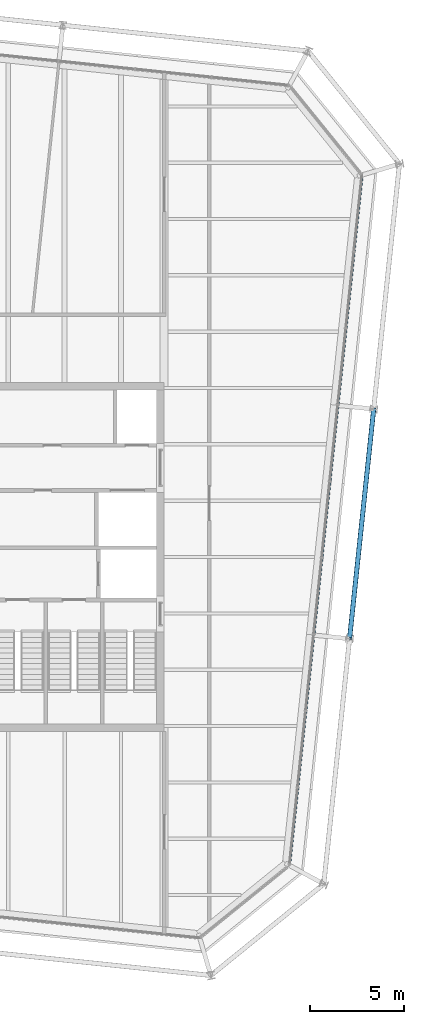
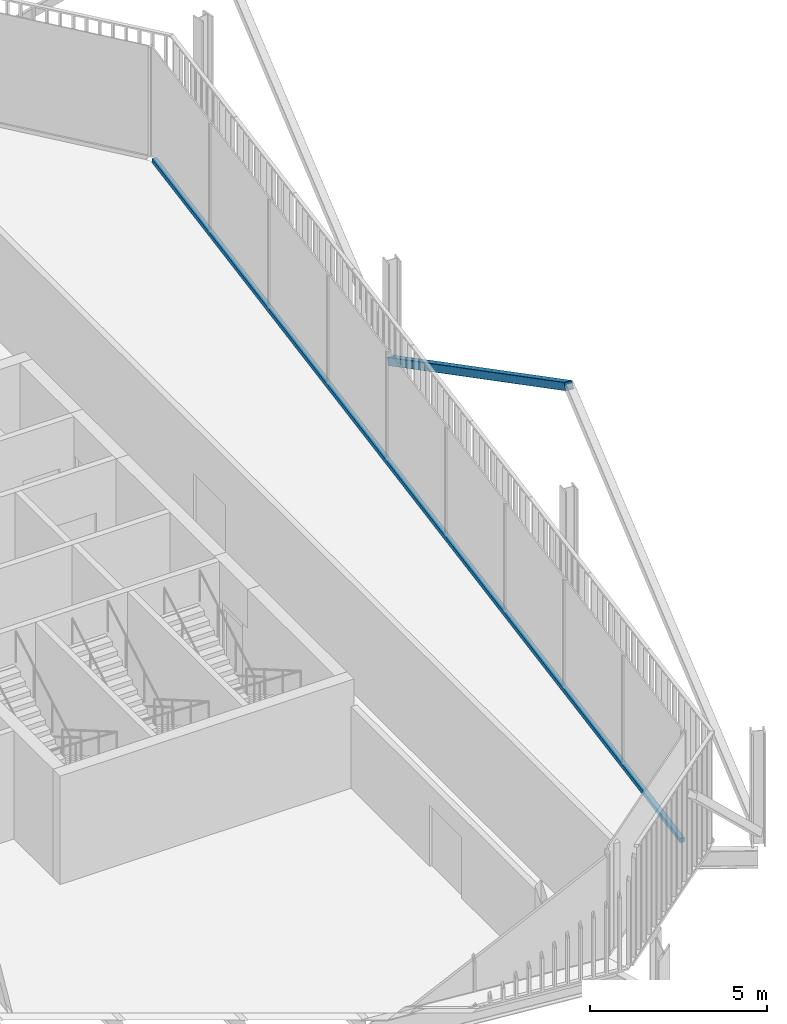
# One storey, part 10 of 21: 2 members, 1 element without a shape of its own.
"""IFC4 building model written with IfcOpenShell, lengths in metres."""

from ifc_helpers import new_model, si_unit, direction, frame, origin, origin_2d, place, context, subcontext, project, spatial, rectangle, hollow_rectangle, extrude, material, layer, layer_set, material_profile, profile_set, type_object, element, aggregate, save


model = new_model("IFC4")

# Units and contexts
model_context = context("Model", 3, precision=1e-05, world=origin(), true_north=direction((0.0, 1.0)))
body_context = subcontext(model_context, "Body", "Model", "MODEL_VIEW")
ifc_project = project(units=[si_unit("LENGTHUNIT", "METRE"), si_unit("AREAUNIT", "SQUARE_METRE"), si_unit("VOLUMEUNIT", "CUBIC_METRE"), si_unit("PLANEANGLEUNIT", "RADIAN"), si_unit("MASSUNIT", "GRAM", prefix="KILO")], contexts=[model_context])

# Site, building, storey
site_placement = place(None, origin())
site = spatial("IfcSite", under=ifc_project, at=site_placement, CompositionType="ELEMENT")
building_placement = place(site_placement, origin())
building = spatial("IfcBuilding", under=site, at=building_placement, Name="Millrace Tower", CompositionType="ELEMENT")
storey_placement = place(building_placement, frame((0.0, 0.0, 334.300048828125)))
storey = spatial("IfcBuildingStorey", under=building, at=storey_placement, Name="L77", CompositionType="ELEMENT", Elevation=334.300048828125)

# Curtain wall, member
ifc_material_1 = material(Name="Aluminium and glass", Category="aluminium")
ifc_layer = layer(ifc_material_1, 0.14990234375)
ifc_layer_set = layer_set([ifc_layer], Name="Aluminium and glass")
curtain_wall_type = type_object("IfcCurtainWallType", Name="CW-1 office vision curtain wall", PredefinedType="NOTDEFINED", material=ifc_layer_set)
curtain_wall_placement = place(storey_placement, origin())
curtain_wall = element("IfcCurtainWall", 1, at=curtain_wall_placement, inside=storey, type_object=curtain_wall_type, Name="Curtain wall E-F04 L77", PredefinedType="NOTDEFINED")
ifc_material_2 = material(Name="Aluminium", Category="aluminium")
ifc_material_profile_1 = material_profile(ifc_material_2, rectangle(XDim=0.14990234375, YDim=0.139892578125, at=origin_2d()))
ifc_profile_set_1 = profile_set([ifc_material_profile_1], Name="Aluminium")
member_type_1 = type_object("IfcMemberType", Name="CW-1 office vision curtain wall transom", PredefinedType="USERDEFINED", material=ifc_profile_set_1)
member_1_placement = place(storey_placement, frame((20.98193359375, -16.285400390625, 0.070068359375), z_axis=(0.104527916025, 0.994521952886, 0.0), x_axis=(-0.994521952886, 0.104527916025, 0.0)))
member_1 = element("IfcMember", 2, at=member_1_placement, type_object=member_type_1, Name="CW1 transom E-F04.1", ObjectType="TRANSOM", PredefinedType="USERDEFINED", context=body_context, shape_type="SweptSolid", body=[
    extrude(rectangle(XDim=0.14990234375, YDim=0.139892578125, at=origin_2d()), origin(), (0.0, 0.0, 1.0), 36.699951171875),
])
aggregate(curtain_wall, [member_1])

# Member
ifc_material_3 = material(Name="Steel ASTM A500 Grade C", Category="steel")
ifc_material_profile_2 = material_profile(ifc_material_3, hollow_rectangle(XDim=0.25390625, YDim=0.25390625, WallThickness=0.009521484375, InnerFilletRadius=0.004638671875, OuterFilletRadius=0.014404296875, at=origin_2d()))
ifc_profile_set_2 = profile_set([ifc_material_profile_2], Name="Steel ASTM A500 Grade C")
member_type_2 = type_object("IfcMemberType", Name="Exoskeleton brace HSS10x10x3/8", PredefinedType="BRACE", material=ifc_profile_set_2)
member_2_placement = place(storey_placement, frame((25.457275390625, 7.879150390625, 0.39990234375), z_axis=(-0.090844087175, -0.864347159857, 0.494622420713), x_axis=(0.994522189618, -0.10452566363, 0.0)))
element("IfcMember", 3, at=member_2_placement, inside=storey, type_object=member_type_2, Name="BRC-E-L77-07", PredefinedType="BRACE", context=body_context, shape_type="SweptSolid", body=[
    extrude(hollow_rectangle(XDim=0.25390625, YDim=0.25390625, WallThickness=0.009521484375, InnerFilletRadius=0.004638671875, OuterFilletRadius=0.014404296875, at=origin_2d()), origin(), (0.0, 0.0, 1.0), 14.152099609375),
])

save(model, "model.ifc")
